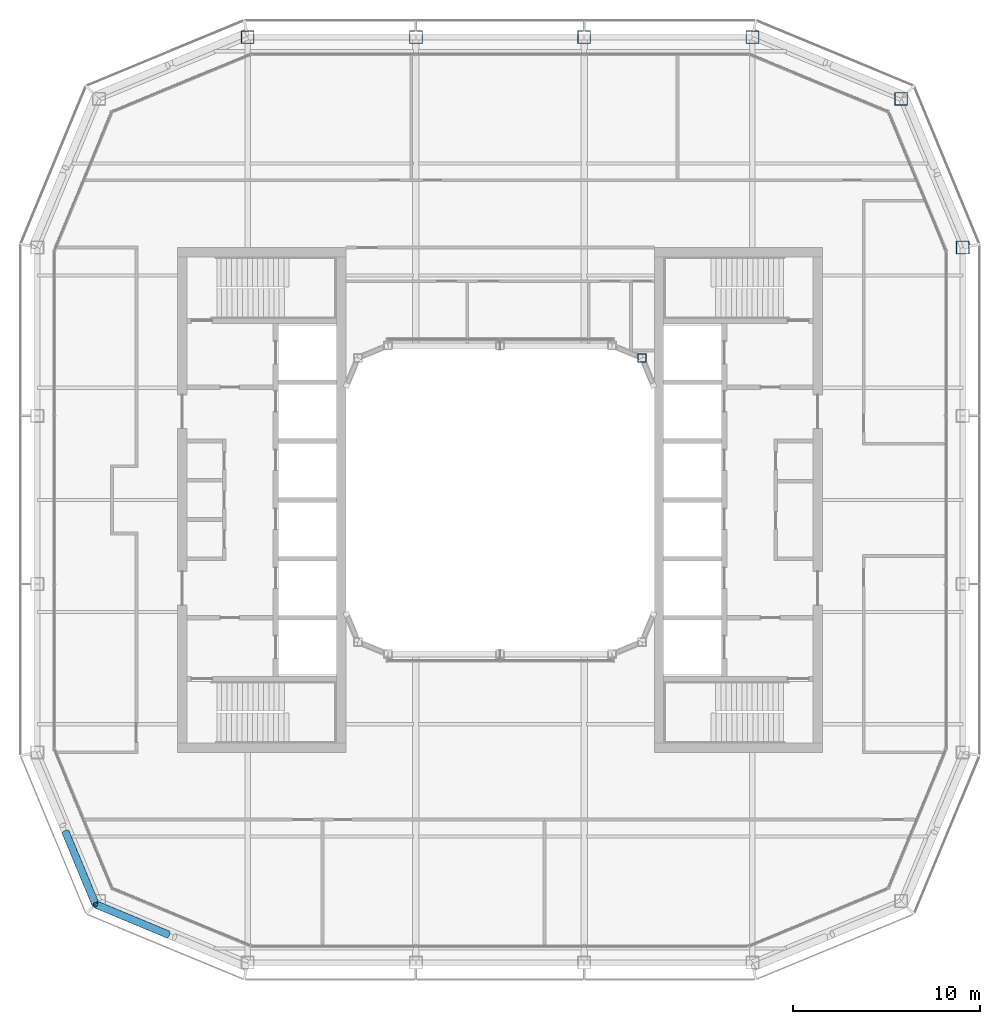
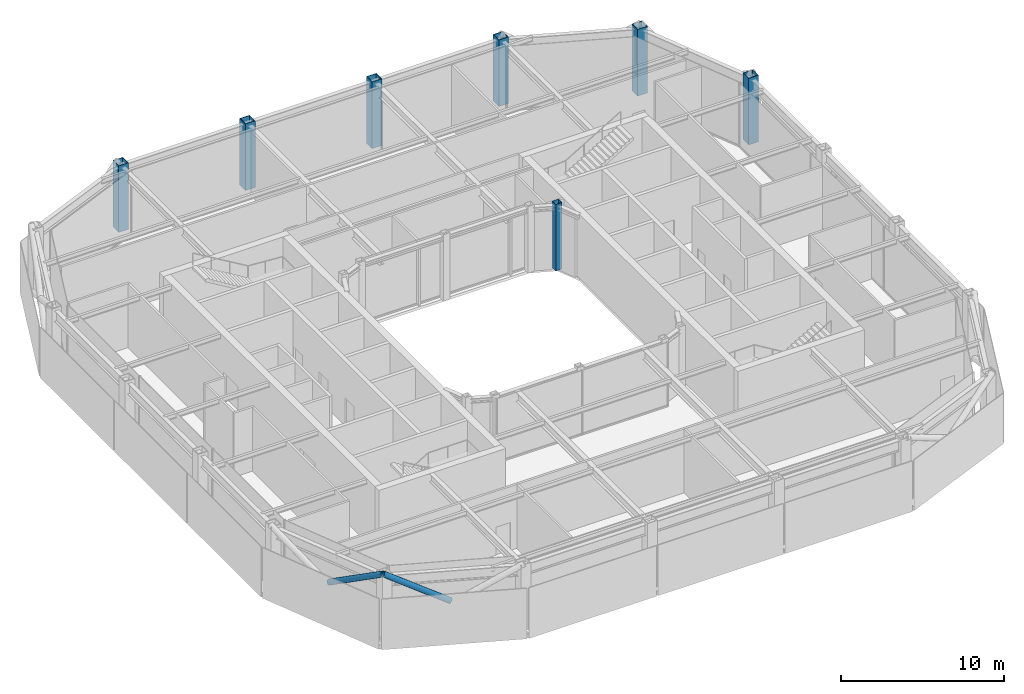
# One storey, part 2 of 17: 7 columns, 2 members.
"""IFC4 building model written with IfcOpenShell, lengths in metres."""

from ifc_helpers import new_model, si_unit, direction, frame, origin, origin_2d, place, context, subcontext, project, spatial, hollow_rectangle, hollow_circle, extrude, material, material_profile, profile_set, type_object, element, save


model = new_model("IFC4")

# Units and contexts
model_context = context("Model", 3, precision=1e-05, world=origin(), true_north=direction((0.0, 1.0)))
body_context = subcontext(model_context, "Body", "Model", "MODEL_VIEW")
ifc_project = project(units=[si_unit("LENGTHUNIT", "METRE"), si_unit("AREAUNIT", "SQUARE_METRE"), si_unit("VOLUMEUNIT", "CUBIC_METRE"), si_unit("PLANEANGLEUNIT", "RADIAN"), si_unit("MASSUNIT", "GRAM", prefix="KILO")], contexts=[model_context])

# Site, building, storey
site_placement = place(None, origin())
site = spatial("IfcSite", under=ifc_project, at=site_placement, CompositionType="ELEMENT")
building_placement = place(site_placement, origin())
building = spatial("IfcBuilding", under=site, at=building_placement, Name="Siwar Civic Tower", CompositionType="ELEMENT")
storey_placement = place(building_placement, frame((0.0, 0.0, 348.199951171875)))
storey = spatial("IfcBuildingStorey", under=building, at=storey_placement, Name="L75", CompositionType="ELEMENT", Elevation=348.199951171875)

# Columns
ifc_material_1 = material(Name="Steel S355", Category="steel")
ifc_material_profile_1 = material_profile(ifc_material_1, hollow_rectangle(XDim=0.699951171875, YDim=0.699951171875, WallThickness=0.035888671875, at=origin_2d()), Name="BOX700x700x36")
ifc_profile_set_1 = profile_set([ifc_material_profile_1], Name="Steel S355")
column_type_1 = type_object("IfcColumnType", Name="STR-COL-BOX700x700x36", PredefinedType="COLUMN", material=ifc_profile_set_1)
for number, where, z_axis, x_axis, name in (
    (1, (24.75, 13.5, 0.0), (0.0, 0.0, 1.0), (1.0, 0.0, 0.0), "L75/col/NE1-0"),
    (2, (21.454833984375, 21.454833984375, 0.0), (0.0, 0.0, 1.0), (1.0, 0.0, 0.0), "L75/col/NE2-0"),
    (3, (13.5, 24.75, 0.0), (0.0, 0.0, 1.0), (1.0, 0.0, 0.0), "L75/col/N-0"),
    (4, (4.5, 24.75, 0.0), (0.0, 0.0, 1.0), (1.0, 0.0, 0.0), "L75/col/N-1"),
    (5, (-4.5, 24.75, 0.0), (0.0, 0.0, 1.0), (1.0, 0.0, 0.0), "L75/col/N-2"),
    (6, (-13.5, 24.75, 0.0), (0.0, 0.0, 1.0), (1.0, 0.0, 0.0), "L75/col/NW1-0"),
):
    element("IfcColumn", number, at=place(storey_placement, frame(where, z_axis=z_axis, x_axis=x_axis)), inside=storey, type_object=column_type_1, Name=name, PredefinedType="COLUMN", context=body_context, shape_type="SweptSolid", body=[
        extrude(hollow_rectangle(XDim=0.699951171875, YDim=0.699951171875, WallThickness=0.035888671875, at=origin_2d()), origin(), (0.0, 0.0, 1.0), 5.0),
    ])
ifc_material_2 = material(Name="Steel S355", Category="steel")
ifc_material_profile_2 = material_profile(ifc_material_2, hollow_rectangle(XDim=0.449951171875, YDim=0.449951171875, WallThickness=0.02197265625, at=origin_2d()), Name="BOX450x450x22")
ifc_profile_set_2 = profile_set([ifc_material_profile_2], Name="Steel S355")
column_type_2 = type_object("IfcColumnType", Name="STR-ICOL-BOX450x450x22", PredefinedType="COLUMN", material=ifc_profile_set_2)
column_placement = place(storey_placement, frame((7.591064453125, 7.591064453125, 0.0), z_axis=(0.0, 0.0, 1.0), x_axis=(1.0, 0.0, 0.0)))
element("IfcColumn", 7, at=column_placement, inside=storey, type_object=column_type_2, Name="L75/col/IN-4", PredefinedType="COLUMN", context=body_context, shape_type="SweptSolid", body=[
    extrude(hollow_rectangle(XDim=0.449951171875, YDim=0.449951171875, WallThickness=0.02197265625, at=origin_2d()), origin(), (0.0, 0.0, 1.0), 5.0),
])

# Members
ifc_material_3 = material(Name="Steel S355", Category="steel")
ifc_material_profile_3 = material_profile(ifc_material_3, hollow_circle(Radius=0.203125, WallThickness=0.01611328125, at=origin_2d()), Name="CHS406.4x16")
ifc_profile_set_3 = profile_set([ifc_material_profile_3], Name="Steel S355")
member_type = type_object("IfcMemberType", Name="STR-BR-CHS406.4x16", PredefinedType="BRACE", material=ifc_profile_set_3)
for number, where, z_axis, x_axis, name in (
    (8, (-17.775390625, -23.236328125, 2.614501953125), (-0.801737302644, 0.333566570839, 0.495934108897), (-0.384133897361, -0.923277395422, 0.0), "L75/brc/DSW1-14-0-3"),
    (9, (-23.236328125, -17.775390625, 2.614501953125), (0.333566570839, -0.801737302644, 0.495934108897), (0.923277395422, 0.384133897361, 0.0), "L75/brc/DSW1-14-0-5"),
):
    element("IfcMember", number, at=place(storey_placement, frame(where, z_axis=z_axis, x_axis=x_axis)), inside=storey, type_object=member_type, Name=name, PredefinedType="BRACE", context=body_context, shape_type="SweptSolid", body=[
        extrude(hollow_circle(Radius=0.203125, WallThickness=0.01611328125, at=origin_2d()), origin(), (0.0, 0.0, 1.0), 4.81005859375),
    ])

save(model, "model.ifc")
